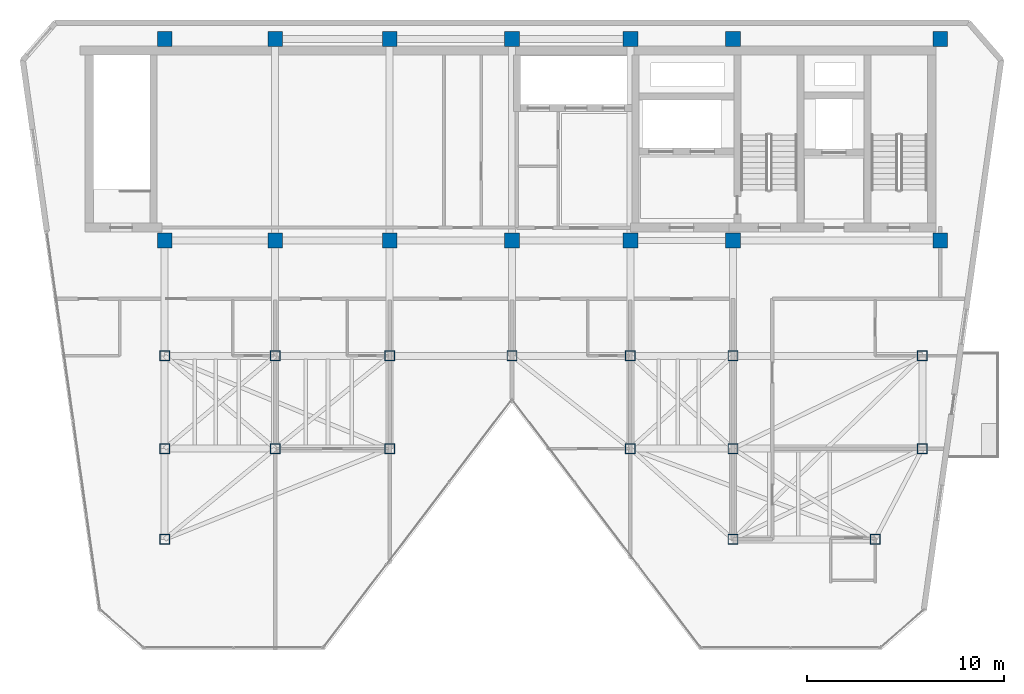
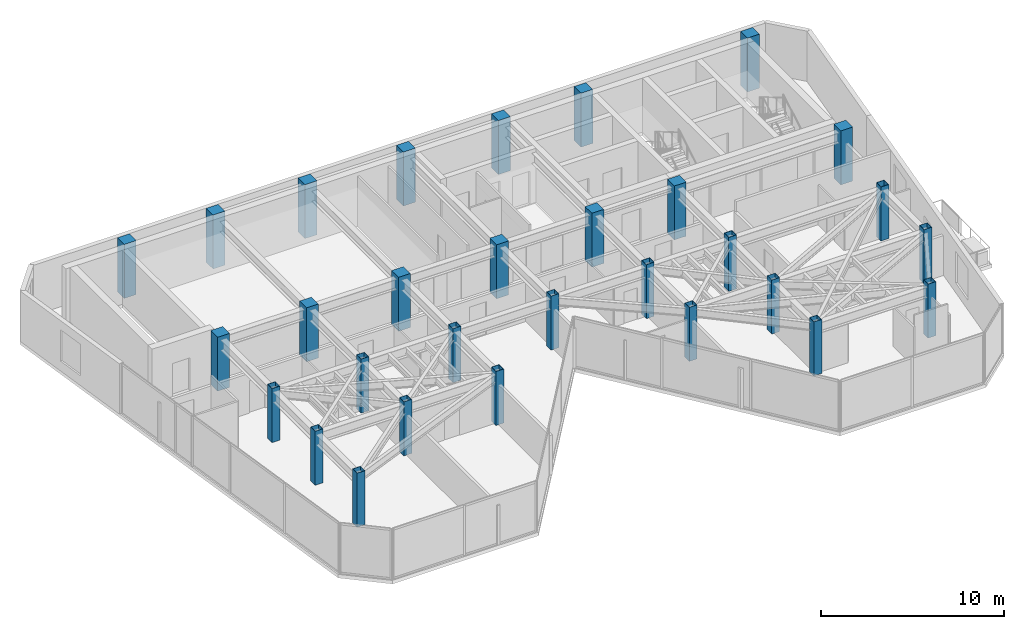
# One storey, part 1 of 20: 30 columns.
"""IFC4 building model written with IfcOpenShell, lengths in metres."""

from ifc_helpers import new_model, si_unit, direction, frame, origin, origin_2d, place, context, subcontext, project, spatial, rectangle, hollow_rectangle, extrude, material, material_profile, profile_set, type_object, element, save


model = new_model("IFC4")

# Units and contexts
model_context = context("Model", 3, precision=1e-05, world=origin(), true_north=direction((0.0, 1.0)))
body_context = subcontext(model_context, "Body", "Model", "MODEL_VIEW")
ifc_project = project(units=[si_unit("LENGTHUNIT", "METRE"), si_unit("AREAUNIT", "SQUARE_METRE"), si_unit("VOLUMEUNIT", "CUBIC_METRE"), si_unit("PLANEANGLEUNIT", "RADIAN"), si_unit("MASSUNIT", "GRAM", prefix="KILO")], contexts=[model_context])

# Site, building, storey
site_placement = place(None, origin())
site = spatial("IfcSite", under=ifc_project, at=site_placement, CompositionType="ELEMENT")
building_placement = place(site_placement, origin())
building = spatial("IfcBuilding", under=site, at=building_placement, Name="Kravanh Interchange Tower", CompositionType="ELEMENT")
storey_placement = place(building_placement, frame((0.0, 0.0, 241.800048828125)))
storey = spatial("IfcBuildingStorey", under=building, at=storey_placement, Name="L58", CompositionType="ELEMENT", Elevation=241.800048828125)

# Columns
ifc_material_1 = material(Name="Structural Steel S355", Category="steel")
ifc_material_profile_1 = material_profile(ifc_material_1, hollow_rectangle(XDim=0.5, YDim=0.5, WallThickness=0.02001953125, at=origin_2d()), Name="HSS500X500X20")
ifc_profile_set_1 = profile_set([ifc_material_profile_1], Name="Structural Steel S355")
column_type_1 = type_object("IfcColumnType", Name="Column HSS500X500X20 Structural Steel S355", PredefinedType="COLUMN", material=ifc_profile_set_1)
for number, where, z_axis, x_axis, name in (
    (1, (44.800048828125, 31.5, 0.0), (0.0, 0.0, 1.0), (1.0, 0.0, 0.0), "L58 Column CH_E1"),
    (2, (50.800048828125, 31.5, 0.0), (0.0, 0.0, 1.0), (1.0, 0.0, 0.0), "L58 Column CH_E2"),
    (3, (56.0, 31.5, 0.0), (0.0, 0.0, 1.0), (1.0, 0.0, 0.0), "L58 Column CH_E3"),
    (4, (65.60009765625, 31.5, 0.0), (0.0, 0.0, 1.0), (1.0, 0.0, 0.0), "L58 Column CH_E4"),
    (5, (38.60009765625, 31.5, 0.0), (0.0, 0.0, 1.0), (1.0, 0.0, 0.0), "L58 Column CH_E5"),
    (6, (32.800048828125, 31.5, 0.0), (0.0, 0.0, 1.0), (1.0, 0.0, 0.0), "L58 Column CH_E6"),
    (7, (27.199951171875, 31.5, 0.0), (0.0, 0.0, 1.0), (1.0, 0.0, 0.0), "L58 Column CH_E7"),
    (8, (38.60009765625, 26.800048828125, 0.0), (0.0, 0.0, 1.0), (1.0, 0.0, 0.0), "L58 Column CH_S1"),
    (9, (50.800048828125, 26.800048828125, 0.0), (0.0, 0.0, 1.0), (1.0, 0.0, 0.0), "L58 Column CH_S2"),
    (10, (56.0, 26.800048828125, 0.0), (0.0, 0.0, 1.0), (1.0, 0.0, 0.0), "L58 Column CH_S3"),
    (11, (65.60009765625, 26.800048828125, 0.0), (0.0, 0.0, 1.0), (1.0, 0.0, 0.0), "L58 Column CH_S4"),
    (12, (56.0, 22.199951171875, 0.0), (0.0, 0.0, 1.0), (1.0, 0.0, 0.0), "L58 Column CH_S5"),
    (13, (63.199951171875, 22.199951171875, 0.0), (0.0, 0.0, 1.0), (1.0, 0.0, 0.0), "L58 Column CH_S6"),
    (14, (27.199951171875, 22.199951171875, 0.0), (0.0, 0.0, 1.0), (1.0, 0.0, 0.0), "L58 Column CH_W1"),
    (15, (27.199951171875, 26.800048828125, 0.0), (0.0, 0.0, 1.0), (1.0, 0.0, 0.0), "L58 Column CH_W1B"),
    (16, (32.800048828125, 26.800048828125, 0.0), (0.0, 0.0, 1.0), (1.0, 0.0, 0.0), "L58 Column CH_W3"),
):
    element("IfcColumn", number, at=place(storey_placement, frame(where, z_axis=z_axis, x_axis=x_axis)), inside=storey, type_object=column_type_1, Name=name, PredefinedType="COLUMN", context=body_context, shape_type="SweptSolid", body=[
        extrude(hollow_rectangle(XDim=0.5, YDim=0.5, WallThickness=0.02001953125, at=origin_2d()), origin(), (0.0, 0.0, 1.0), 3.599853515625),
    ])
ifc_material_2 = material(Name="Concrete C60/75", Category="concrete")
ifc_material_profile_2 = material_profile(ifc_material_2, rectangle(XDim=0.75, YDim=0.75, at=origin_2d()), Name="RC750X750")
ifc_profile_set_2 = profile_set([ifc_material_profile_2], Name="Concrete C60/75")
column_type_2 = type_object("IfcColumnType", Name="Column RC750X750 Concrete C60/75", PredefinedType="COLUMN", material=ifc_profile_set_2)
for number, where, z_axis, x_axis, name in (
    (17, (66.5, 47.550048828125, 0.0), (0.0, 0.0, 1.0), (1.0, 0.0, 0.0), "L58 Column CS01"),
    (18, (56.0, 47.550048828125, 0.0), (0.0, 0.0, 1.0), (1.0, 0.0, 0.0), "L58 Column CS02"),
    (19, (66.5, 37.35009765625, 0.0), (0.0, 0.0, 1.0), (1.0, 0.0, 0.0), "L58 Column CS03"),
    (20, (56.0, 37.35009765625, 0.0), (0.0, 0.0, 1.0), (1.0, 0.0, 0.0), "L58 Column CS04"),
    (21, (50.800048828125, 47.550048828125, 0.0), (0.0, 0.0, 1.0), (1.0, 0.0, 0.0), "L58 Column CS05"),
    (22, (50.800048828125, 37.35009765625, 0.0), (0.0, 0.0, 1.0), (1.0, 0.0, 0.0), "L58 Column CS06"),
    (23, (44.800048828125, 37.35009765625, 0.0), (0.0, 0.0, 1.0), (1.0, 0.0, 0.0), "L58 Column CS07"),
    (24, (44.800048828125, 47.550048828125, 0.0), (0.0, 0.0, 1.0), (1.0, 0.0, 0.0), "L58 Column CS08"),
    (25, (38.60009765625, 37.35009765625, 0.0), (0.0, 0.0, 1.0), (1.0, 0.0, 0.0), "L58 Column CS09"),
    (26, (38.60009765625, 47.550048828125, 0.0), (0.0, 0.0, 1.0), (1.0, 0.0, 0.0), "L58 Column CS10"),
    (27, (32.800048828125, 37.35009765625, 0.0), (0.0, 0.0, 1.0), (1.0, 0.0, 0.0), "L58 Column CS11"),
    (28, (32.800048828125, 47.550048828125, 0.0), (0.0, 0.0, 1.0), (1.0, 0.0, 0.0), "L58 Column CS12"),
    (29, (27.199951171875, 37.35009765625, 0.0), (0.0, 0.0, 1.0), (1.0, 0.0, 0.0), "L58 Column CS13"),
    (30, (27.199951171875, 47.550048828125, 0.0), (0.0, 0.0, 1.0), (1.0, 0.0, 0.0), "L58 Column CS14"),
):
    element("IfcColumn", number, at=place(storey_placement, frame(where, z_axis=z_axis, x_axis=x_axis)), inside=storey, type_object=column_type_2, Name=name, PredefinedType="COLUMN", context=body_context, shape_type="SweptSolid", body=[
        extrude(rectangle(XDim=0.75, YDim=0.75, at=origin_2d()), origin(), (0.0, 0.0, 1.0), 3.599853515625),
    ])

save(model, "model.ifc")
